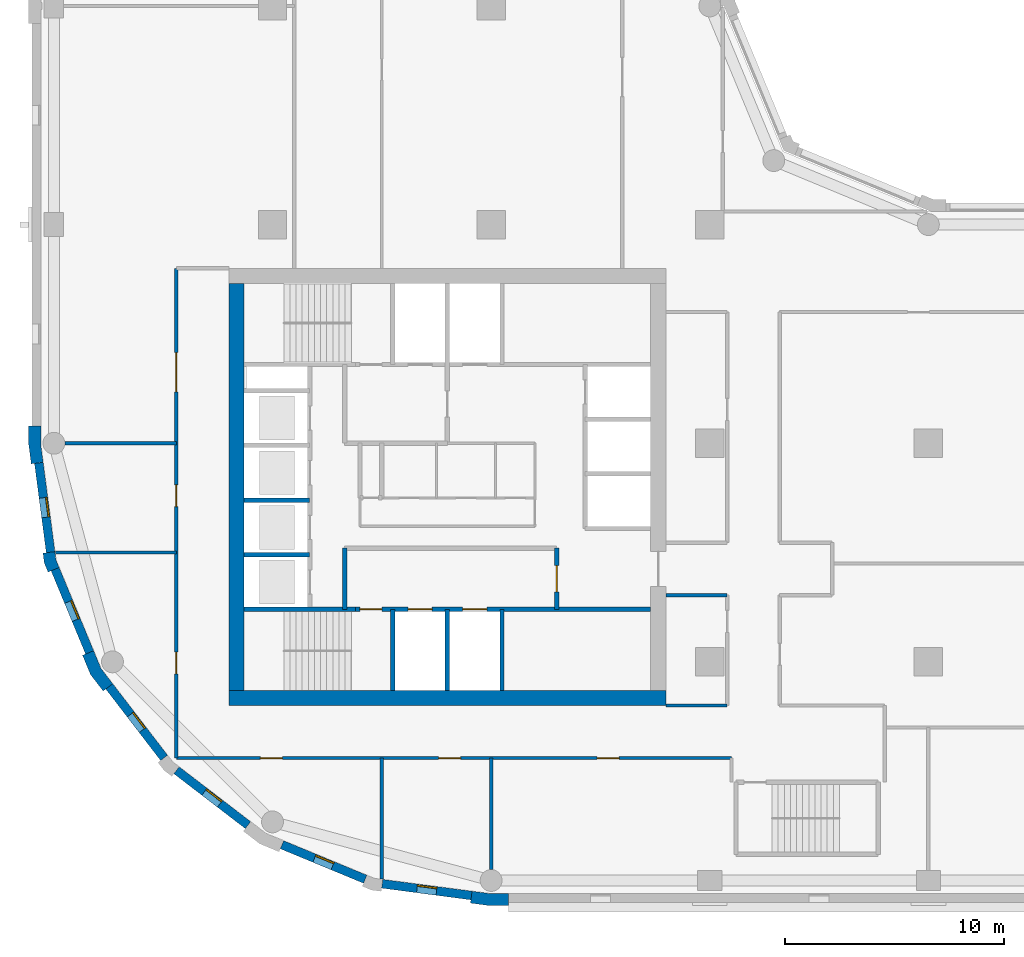
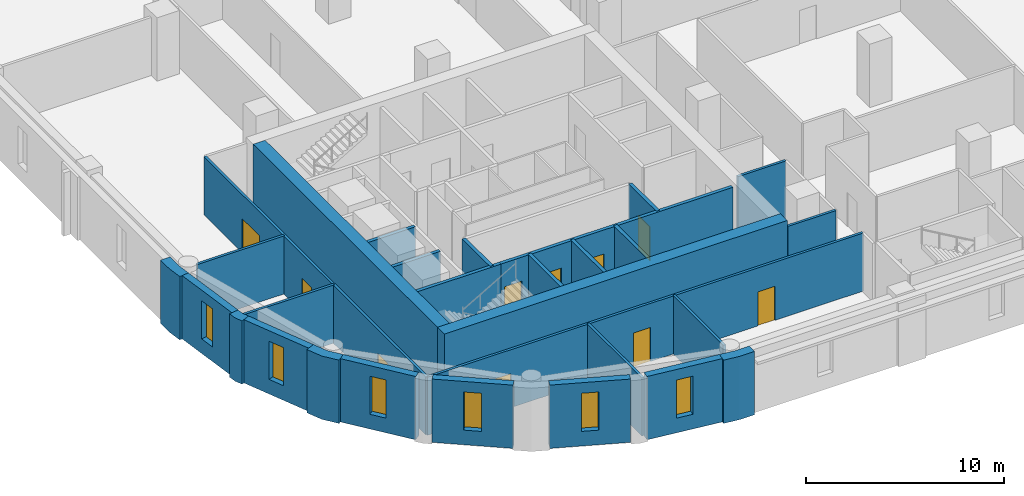
# One storey, part 2 of 9: 29 walls, 10 doors, 6 windows, 16 openings.
"""IFC4 building model written with IfcOpenShell, lengths in metres."""

from ifc_helpers import new_model, si_unit, direction, frame, frame_2d, origin, place, context, subcontext, project, spatial, polyline, rectangle, outline, extrude, material, layer, layer_set, type_object, element, fill, save


model = new_model("IFC4")

# Units and contexts
model_context = context("Model", 3, precision=1e-05, world=origin(), true_north=direction((0.0, 1.0)))
body_context = subcontext(model_context, "Body", "Model", "MODEL_VIEW")
ifc_project = project(units=[si_unit("LENGTHUNIT", "METRE"), si_unit("AREAUNIT", "SQUARE_METRE"), si_unit("VOLUMEUNIT", "CUBIC_METRE"), si_unit("PLANEANGLEUNIT", "RADIAN"), si_unit("MASSUNIT", "GRAM", prefix="KILO")], contexts=[model_context])

# Site, building, storey
site_placement = place(None, origin())
site = spatial("IfcSite", under=ifc_project, at=site_placement, CompositionType="ELEMENT")
building_placement = place(site_placement, origin())
building = spatial("IfcBuilding", under=site, at=building_placement, Name="Qaws Garden Tower", CompositionType="ELEMENT")
storey_placement = place(building_placement, frame((0.0, 0.0, 139.5)))
storey = spatial("IfcBuildingStorey", under=building, at=storey_placement, Name="L33", CompositionType="ELEMENT", Elevation=139.5)

# Wall, opening, window
ifc_material_1 = material(Name="Clay facing brick masonry", Category="masonry")
ifc_layer_1 = layer(ifc_material_1, 0.39990234375)
ifc_layer_set_1 = layer_set([ifc_layer_1], Name="Clay facing brick masonry")
wall_type_1 = type_object("IfcWallType", Name="Brick infill wall 400", PredefinedType="SOLIDWALL", material=ifc_layer_set_1)
wall_1_placement = place(storey_placement, frame((-0.688720703125, 19.102294921875, 0.0), z_axis=(0.0, 0.0, 1.0), x_axis=(0.130514280502, -0.991446429508, 0.0)))
wall_1 = element("IfcWall", 1, at=wall_1_placement, inside=storey, type_object=wall_type_1, Name="E-L33-infill-25", PredefinedType="SOLIDWALL", context=body_context, shape_type="SweptSolid", body=[
    extrude(rectangle(XDim=4.120849609375, YDim=0.39990234375, at=frame_2d((2.060546875, 0.0))), origin(), (0.0, 0.0, 1.0), 3.89990234375),
])
opening_1_placement = place(wall_1_placement, frame((1.610595703125, 0.0, 0.89990234375)))
opening_1 = element("IfcOpeningElement", 2, at=opening_1_placement, cuts=wall_1, Name="Opening W09", PredefinedType="OPENING", context=body_context, shape_type="SweptSolid", body=[
    extrude(rectangle(XDim=0.89990234375, YDim=2.35009765625, at=frame_2d((0.449951171875, 1.175048828125))), frame((0.0, 0.2099609375, 0.0), z_axis=(0.0, -1.0, 0.0), x_axis=(1.0, 0.0, 0.0)), (0.0, 0.0, 1.0), 0.419921875),
])
ifc_material_2 = material(Name="Aluminium framed window, clear glazing", Category="aluminium")
window_type = type_object("IfcWindowType", Name="Slit window 900 x 2350", PartitioningType="SINGLE_PANEL", PredefinedType="WINDOW", material=ifc_material_2)
window_1_placement = place(opening_1_placement, origin())
window_1 = element("IfcWindow", 3, at=window_1_placement, inside=storey, type_object=window_type, Name="E-L33-window-25-0", OverallHeight=2.35009765625, OverallWidth=0.89990234375, PartitioningType="SINGLE_PANEL", PredefinedType="WINDOW", context=body_context, shape_type="SweptSolid", body=[
    extrude(rectangle(XDim=0.89990234375, YDim=2.35009765625, at=frame_2d((0.449951171875, 1.175048828125))), frame((0.0, 0.159912109375, 0.0), z_axis=(0.0, -1.0, 0.0), x_axis=(1.0, 0.0, 0.0)), (0.0, 0.0, 1.0), 0.06005859375),
])
fill(opening_1, window_1)

wall_2_placement = place(storey_placement, frame((0.05712890625, 14.240234375, 0.0), z_axis=(0.0, 0.0, 1.0), x_axis=(0.382721546029, -0.923863744394, 0.0)))
wall_2 = element("IfcWall", 4, at=wall_2_placement, inside=storey, type_object=wall_type_1, Name="E-L33-infill-26", PredefinedType="SOLIDWALL", context=body_context, shape_type="SweptSolid", body=[
    extrude(rectangle(XDim=4.120849609375, YDim=0.39990234375, at=frame_2d((2.060546875, 0.0))), origin(), (0.0, 0.0, 1.0), 3.89990234375),
])
opening_2_placement = place(wall_2_placement, frame((1.610595703125, 0.0, 0.89990234375)))
opening_2 = element("IfcOpeningElement", 5, at=opening_2_placement, cuts=wall_2, Name="Opening W09", PredefinedType="OPENING", context=body_context, shape_type="SweptSolid", body=[
    extrude(rectangle(XDim=0.89990234375, YDim=2.35009765625, at=frame_2d((0.449951171875, 1.175048828125))), frame((0.0, 0.2099609375, 0.0), z_axis=(0.0, -1.0, 0.0), x_axis=(1.0, 0.0, 0.0)), (0.0, 0.0, 1.0), 0.419921875),
])
window_2_placement = place(opening_2_placement, origin())
window_2 = element("IfcWindow", 6, at=window_2_placement, inside=storey, type_object=window_type, Name="E-L33-window-26-0", OverallHeight=2.35009765625, OverallWidth=0.89990234375, PartitioningType="SINGLE_PANEL", PredefinedType="WINDOW", context=body_context, shape_type="SweptSolid", body=[
    extrude(rectangle(XDim=0.89990234375, YDim=2.35009765625, at=frame_2d((0.449951171875, 1.175048828125))), frame((0.0, 0.159912109375, 0.0), z_axis=(0.0, -1.0, 0.0), x_axis=(1.0, 0.0, 0.0)), (0.0, 0.0, 1.0), 0.06005859375),
])
fill(opening_2, window_2)

wall_3_placement = place(storey_placement, frame((2.53173828125, 8.87841796875, 0.0), z_axis=(0.0, 0.0, 1.0), x_axis=(0.608759824817, -0.793354571229, 0.0)))
wall_3 = element("IfcWall", 7, at=wall_3_placement, inside=storey, type_object=wall_type_1, Name="E-L33-infill-27", PredefinedType="SOLIDWALL", context=body_context, shape_type="SweptSolid", body=[
    extrude(rectangle(XDim=4.12109375, YDim=0.39990234375, at=frame_2d((2.060546875, 0.0))), origin(), (0.0, 0.0, 1.0), 3.89990234375),
])
opening_3_placement = place(wall_3_placement, frame((1.610595703125, 0.0, 0.89990234375)))
opening_3 = element("IfcOpeningElement", 8, at=opening_3_placement, cuts=wall_3, Name="Opening W09", PredefinedType="OPENING", context=body_context, shape_type="SweptSolid", body=[
    extrude(rectangle(XDim=0.89990234375, YDim=2.35009765625, at=frame_2d((0.449951171875, 1.175048828125))), frame((0.0, 0.2099609375, 0.0), z_axis=(0.0, -1.0, 0.0), x_axis=(1.0, 0.0, 0.0)), (0.0, 0.0, 1.0), 0.419921875),
])
window_3_placement = place(opening_3_placement, origin())
window_3 = element("IfcWindow", 9, at=window_3_placement, inside=storey, type_object=window_type, Name="E-L33-window-27-0", OverallHeight=2.35009765625, OverallWidth=0.89990234375, PartitioningType="SINGLE_PANEL", PredefinedType="WINDOW", context=body_context, shape_type="SweptSolid", body=[
    extrude(rectangle(XDim=0.89990234375, YDim=2.35009765625, at=frame_2d((0.449951171875, 1.175048828125))), frame((0.0, 0.159912109375, 0.0), z_axis=(0.0, -1.0, 0.0), x_axis=(1.0, 0.0, 0.0)), (0.0, 0.0, 1.0), 0.06005859375),
])
fill(opening_3, window_3)

wall_4_placement = place(storey_placement, frame((5.60888671875, 5.04052734375, 0.0), z_axis=(0.0, 0.0, 1.0), x_axis=(0.793354571229, -0.608759824817, 0.0)))
wall_4 = element("IfcWall", 10, at=wall_4_placement, inside=storey, type_object=wall_type_1, Name="E-L33-infill-28", PredefinedType="SOLIDWALL", context=body_context, shape_type="SweptSolid", body=[
    extrude(rectangle(XDim=4.12109375, YDim=0.39990234375, at=frame_2d((2.060546875, 0.0))), origin(), (0.0, 0.0, 1.0), 3.89990234375),
])
opening_4_placement = place(wall_4_placement, frame((1.610595703125, 0.0, 0.89990234375)))
opening_4 = element("IfcOpeningElement", 11, at=opening_4_placement, cuts=wall_4, Name="Opening W09", PredefinedType="OPENING", context=body_context, shape_type="SweptSolid", body=[
    extrude(rectangle(XDim=0.89990234375, YDim=2.35009765625, at=frame_2d((0.449951171875, 1.175048828125))), frame((0.0, 0.2099609375, 0.0), z_axis=(0.0, -1.0, 0.0), x_axis=(1.0, 0.0, 0.0)), (0.0, 0.0, 1.0), 0.419921875),
])
window_4_placement = place(opening_4_placement, origin())
window_4 = element("IfcWindow", 12, at=window_4_placement, inside=storey, type_object=window_type, Name="E-L33-window-28-0", OverallHeight=2.35009765625, OverallWidth=0.89990234375, PartitioningType="SINGLE_PANEL", PredefinedType="WINDOW", context=body_context, shape_type="SweptSolid", body=[
    extrude(rectangle(XDim=0.89990234375, YDim=2.35009765625, at=frame_2d((0.449951171875, 1.175048828125))), frame((0.0, 0.159912109375, 0.0), z_axis=(0.0, -1.0, 0.0), x_axis=(1.0, 0.0, 0.0)), (0.0, 0.0, 1.0), 0.06005859375),
])
fill(opening_4, window_4)

wall_5_placement = place(storey_placement, frame((10.43310546875, 1.63427734375, 0.0), z_axis=(0.0, 0.0, 1.0), x_axis=(0.923863744394, -0.382721546029, 0.0)))
wall_5 = element("IfcWall", 13, at=wall_5_placement, inside=storey, type_object=wall_type_1, Name="E-L33-infill-29", PredefinedType="SOLIDWALL", context=body_context, shape_type="SweptSolid", body=[
    extrude(rectangle(XDim=4.120849609375, YDim=0.39990234375, at=frame_2d((2.060546875, 0.0))), origin(), (0.0, 0.0, 1.0), 3.89990234375),
])
opening_5_placement = place(wall_5_placement, frame((1.610595703125, 0.0, 0.89990234375)))
opening_5 = element("IfcOpeningElement", 14, at=opening_5_placement, cuts=wall_5, Name="Opening W09", PredefinedType="OPENING", context=body_context, shape_type="SweptSolid", body=[
    extrude(rectangle(XDim=0.89990234375, YDim=2.35009765625, at=frame_2d((0.449951171875, 1.175048828125))), frame((0.0, 0.2099609375, 0.0), z_axis=(0.0, -1.0, 0.0), x_axis=(1.0, 0.0, 0.0)), (0.0, 0.0, 1.0), 0.419921875),
])
window_5_placement = place(opening_5_placement, origin())
window_5 = element("IfcWindow", 15, at=window_5_placement, inside=storey, type_object=window_type, Name="E-L33-window-29-0", OverallHeight=2.35009765625, OverallWidth=0.89990234375, PartitioningType="SINGLE_PANEL", PredefinedType="WINDOW", context=body_context, shape_type="SweptSolid", body=[
    extrude(rectangle(XDim=0.89990234375, YDim=2.35009765625, at=frame_2d((0.449951171875, 1.175048828125))), frame((0.0, 0.159912109375, 0.0), z_axis=(0.0, -1.0, 0.0), x_axis=(1.0, 0.0, 0.0)), (0.0, 0.0, 1.0), 0.06005859375),
])
fill(opening_5, window_5)

wall_6_placement = place(storey_placement, frame((15.0166015625, -0.15087890625, 0.0), z_axis=(0.0, 0.0, 1.0), x_axis=(0.991446429508, -0.130514280502, 0.0)))
wall_6 = element("IfcWall", 16, at=wall_6_placement, inside=storey, type_object=wall_type_1, Name="E-L33-infill-30", PredefinedType="SOLIDWALL", context=body_context, shape_type="SweptSolid", body=[
    extrude(rectangle(XDim=4.120849609375, YDim=0.39990234375, at=frame_2d((2.060546875, 0.0))), origin(), (0.0, 0.0, 1.0), 3.89990234375),
])
opening_6_placement = place(wall_6_placement, frame((1.610595703125, 0.0, 0.89990234375)))
opening_6 = element("IfcOpeningElement", 17, at=opening_6_placement, cuts=wall_6, Name="Opening W09", PredefinedType="OPENING", context=body_context, shape_type="SweptSolid", body=[
    extrude(rectangle(XDim=0.89990234375, YDim=2.35009765625, at=frame_2d((0.449951171875, 1.175048828125))), frame((0.0, 0.2099609375, 0.0), z_axis=(0.0, -1.0, 0.0), x_axis=(1.0, 0.0, 0.0)), (0.0, 0.0, 1.0), 0.419921875),
])
window_6_placement = place(opening_6_placement, origin())
window_6 = element("IfcWindow", 18, at=window_6_placement, inside=storey, type_object=window_type, Name="E-L33-window-30-0", OverallHeight=2.35009765625, OverallWidth=0.89990234375, PartitioningType="SINGLE_PANEL", PredefinedType="WINDOW", context=body_context, shape_type="SweptSolid", body=[
    extrude(rectangle(XDim=0.89990234375, YDim=2.35009765625, at=frame_2d((0.449951171875, 1.175048828125))), frame((0.0, 0.159912109375, 0.0), z_axis=(0.0, -1.0, 0.0), x_axis=(1.0, 0.0, 0.0)), (0.0, 0.0, 1.0), 0.06005859375),
])
fill(opening_6, window_6)

# Walls
ifc_material_3 = material(Name="Clay facing brick masonry", Category="masonry")
ifc_layer_2 = layer(ifc_material_3, 0.550048828125)
ifc_layer_set_2 = layer_set([ifc_layer_2], Name="Clay facing brick masonry")
wall_type_2 = type_object("IfcWallType", Name="Brick kink pier 550 x 600", PredefinedType="SOLIDWALL", material=ifc_layer_set_2)
placement = place(storey_placement, origin())
element("IfcWall", 19, at=placement, inside=storey, type_object=wall_type_2, Name="E-L33-pier-26", PredefinedType="SOLIDWALL", context=body_context, shape_type="SweptSolid", body=[
    extrude(outline(polyline([(-0.34912109375, 14.990478515625), (-0.497802734375, 14.970947265625), (-0.43896484375, 14.5234375), (-0.26611328125, 14.1064453125), (-0.127685546875, 14.163818359375), (0.241943359375, 14.31689453125), (0.096923828125, 14.6669921875), (0.04736328125, 15.042724609375), (-0.34912109375, 14.990478515625)])), origin(), (0.0, 0.0, 1.0), 3.89990234375),
])
ifc_material_4 = material(Name="Clay facing brick masonry", Category="masonry")
ifc_layer_3 = layer(ifc_material_4, 0.550048828125)
ifc_layer_set_3 = layer_set([ifc_layer_3], Name="Clay facing brick masonry")
wall_type_3 = type_object("IfcWallType", Name="Brick pier 550 x 1600", PredefinedType="SOLIDWALL", material=ifc_layer_set_3)
element("IfcWall", 20, at=placement, inside=storey, type_object=wall_type_3, Name="E-L33-pier-00", PredefinedType="SOLIDWALL", context=body_context, shape_type="SweptSolid", body=[
    extrude(outline(polyline([(19.076416015625, -0.886962890625), (19.056640625, -1.03564453125), (19.924560546875, -1.14990234375), (20.800048828125, -1.14990234375), (20.800048828125, -1.0), (20.800048828125, -0.60009765625), (19.960693359375, -0.60009765625), (19.12841796875, -0.490478515625), (19.076416015625, -0.886962890625)])), origin(), (0.0, 0.0, 1.0), 3.89990234375),
])
element("IfcWall", 21, at=placement, inside=storey, type_object=wall_type_3, Name="E-L33-pier-25", PredefinedType="SOLIDWALL", context=body_context, shape_type="SweptSolid", body=[
    extrude(outline(polyline([(-1.0, 20.800048828125), (-1.14990234375, 20.800048828125), (-1.14990234375, 19.924560546875), (-1.03564453125, 19.056640625), (-0.886962890625, 19.076416015625), (-0.490478515625, 19.12841796875), (-0.60009765625, 19.960693359375), (-0.60009765625, 20.800048828125), (-1.0, 20.800048828125)])), origin(), (0.0, 0.0, 1.0), 3.89990234375),
])
element("IfcWall", 22, at=placement, inside=storey, type_object=wall_type_3, Name="E-L33-pier-27", PredefinedType="SOLIDWALL", context=body_context, shape_type="SweptSolid", body=[
    extrude(outline(polyline([(1.449462890625, 10.3564453125), (1.310791015625, 10.299072265625), (1.675048828125, 9.419921875), (2.254150390625, 8.665283203125), (2.373046875, 8.756591796875), (2.6904296875, 9.0), (2.1552734375, 9.697509765625), (1.819091796875, 10.509521484375), (1.449462890625, 10.3564453125)])), origin(), (0.0, 0.0, 1.0), 3.89990234375),
])
ifc_material_5 = material(Name="Concrete C70", Category="concrete")
ifc_layer_4 = layer(ifc_material_5, 0.199951171875)
ifc_layer_set_4 = layer_set([ifc_layer_4], Name="Concrete C70")
wall_type_4 = type_object("IfcWallType", Name="Core shaft wall 200 C70", PredefinedType="SHEAR", material=ifc_layer_set_4)
wall_11_placement = place(storey_placement, frame((8.699951171875, 12.39990234375, 0.0), z_axis=(0.0, 0.0, 1.0), x_axis=(1.0, 0.0, 0.0)))
element("IfcWall", 23, at=wall_11_placement, inside=storey, type_object=wall_type_4, Name="Shaft wall", PredefinedType="SHEAR", context=body_context, shape_type="SweptSolid", body=[
    extrude(rectangle(XDim=5.10009765625, YDim=0.199951171875, at=frame_2d((2.550048828125, 0.0))), origin(), (0.0, 0.0, 1.0), 3.580078125),
])

# Wall, openings, doors
wall_12_placement = place(storey_placement, frame((13.800048828125, 12.39990234375, 0.0), z_axis=(0.0, 0.0, 1.0), x_axis=(1.0, 0.0, 0.0)))
wall_12 = element("IfcWall", 24, at=wall_12_placement, inside=storey, type_object=wall_type_4, Name="Shaft wall", PredefinedType="SHEAR", context=body_context, shape_type="SweptSolid", body=[
    extrude(rectangle(XDim=13.5, YDim=0.199951171875, at=frame_2d((6.75, 0.0))), origin(), (0.0, 0.0, 1.0), 3.580078125),
])
opening_7_placement = place(wall_12_placement, frame((2.39990234375, 0.0, 0.0)))
opening_7 = element("IfcOpeningElement", 25, at=opening_7_placement, cuts=wall_12, Name="Opening LD06", PredefinedType="OPENING", context=body_context, shape_type="SweptSolid", body=[
    extrude(rectangle(XDim=1.10009765625, YDim=2.10009765625, at=frame_2d((0.550048828125, 1.050048828125))), frame((0.0, 0.10986328125, 0.0), z_axis=(0.0, -1.0, 0.0), x_axis=(1.0, 0.0, 0.0)), (0.0, 0.0, 1.0), 0.219970703125),
])
opening_8_placement = place(wall_12_placement, frame((4.89990234375, 0.0, 0.0)))
opening_8 = element("IfcOpeningElement", 26, at=opening_8_placement, cuts=wall_12, Name="Opening LD07", PredefinedType="OPENING", context=body_context, shape_type="SweptSolid", body=[
    extrude(rectangle(XDim=1.10009765625, YDim=2.10009765625, at=frame_2d((0.550048828125, 1.050048828125))), frame((0.0, 0.10986328125, 0.0), z_axis=(0.0, -1.0, 0.0), x_axis=(1.0, 0.0, 0.0)), (0.0, 0.0, 1.0), 0.219970703125),
])
opening_9_placement = place(wall_12_placement, frame((0.199951171875, 0.0, 0.0)))
opening_9 = element("IfcOpeningElement", 27, at=opening_9_placement, cuts=wall_12, Name="Opening SD10", PredefinedType="OPENING", context=body_context, shape_type="SweptSolid", body=[
    extrude(rectangle(XDim=1.0, YDim=2.10009765625, at=frame_2d((0.5, 1.050048828125))), frame((0.0, 0.10986328125, 0.0), z_axis=(0.0, -1.0, 0.0), x_axis=(1.0, 0.0, 0.0)), (0.0, 0.0, 1.0), 0.219970703125),
])
ifc_material_6 = material(Name="Steel S235", Category="steel")
door_type_1 = type_object("IfcDoorType", Name="Landing door 1100x2100", OperationType="DOUBLE_DOOR_SLIDING", PredefinedType="DOOR", material=ifc_material_6)
door_1_placement = place(opening_7_placement, origin())
door_1 = element("IfcDoor", 28, at=door_1_placement, inside=storey, type_object=door_type_1, Name="Lift FF1 landing door", OperationType="DOUBLE_DOOR_SLIDING", OverallHeight=2.10009765625, OverallWidth=1.10009765625, PredefinedType="DOOR", context=body_context, shape_type="SweptSolid", body=[
    extrude(rectangle(XDim=1.10009765625, YDim=2.10009765625, at=frame_2d((0.550048828125, 1.050048828125))), frame((0.0, 0.02490234375, 0.0), z_axis=(0.0, -1.0, 0.0), x_axis=(1.0, 0.0, 0.0)), (0.0, 0.0, 1.0), 0.050048828125),
])
fill(opening_7, door_1)
door_2_placement = place(opening_8_placement, origin())
door_2 = element("IfcDoor", 29, at=door_2_placement, inside=storey, type_object=door_type_1, Name="Lift FF2 landing door", OperationType="DOUBLE_DOOR_SLIDING", OverallHeight=2.10009765625, OverallWidth=1.10009765625, PredefinedType="DOOR", context=body_context, shape_type="SweptSolid", body=[
    extrude(rectangle(XDim=1.10009765625, YDim=2.10009765625, at=frame_2d((0.550048828125, 1.050048828125))), frame((0.0, 0.02490234375, 0.0), z_axis=(0.0, -1.0, 0.0), x_axis=(1.0, 0.0, 0.0)), (0.0, 0.0, 1.0), 0.050048828125),
])
fill(opening_8, door_2)
ifc_material_7 = material(Name="Steel S235", Category="steel")
door_type_2 = type_object("IfcDoorType", Name="Stair door 1000x2100", OperationType="SINGLE_SWING_RIGHT", PredefinedType="DOOR", material=ifc_material_7)
door_3_placement = place(opening_9_placement, frame((1.0, 0.0, 0.0), z_axis=(0.0, 0.0, 1.0), x_axis=(-1.0, 0.0, 0.0)))
door_3 = element("IfcDoor", 30, at=door_3_placement, inside=storey, type_object=door_type_2, Name="Stair 1 door", OperationType="SINGLE_SWING_LEFT", OverallHeight=2.10009765625, OverallWidth=1.0, PredefinedType="DOOR", context=body_context, shape_type="SweptSolid", body=[
    extrude(rectangle(XDim=1.0, YDim=2.10009765625, at=frame_2d((0.5, 1.050048828125))), frame((0.0, 0.02490234375, 0.0), z_axis=(0.0, -1.0, 0.0), x_axis=(1.0, 0.0, 0.0)), (0.0, 0.0, 1.0), 0.050048828125),
])
fill(opening_9, door_3)

# Walls
for number, where, z_axis, x_axis, name in (
    (31, (8.699951171875, 14.89990234375, 0.0), (0.0, 0.0, 1.0), (1.0, 0.0, 0.0), "Shaft wall"),
    (32, (8.699951171875, 17.39990234375, 0.0), (0.0, 0.0, 1.0), (1.0, 0.0, 0.0), "Shaft wall"),
):
    element("IfcWall", number, at=place(storey_placement, frame(where, z_axis=z_axis, x_axis=x_axis)), inside=storey, type_object=wall_type_4, Name=name, PredefinedType="SHEAR", context=body_context, shape_type="SweptSolid", body=[
        extrude(rectangle(XDim=3.0, YDim=0.199951171875, at=frame_2d((1.5, 0.0))), origin(), (0.0, 0.0, 1.0), 3.580078125),
    ])
wall_13_placement = place(storey_placement, frame((13.300048828125, 12.39990234375, 0.0), z_axis=(0.0, 0.0, 1.0), x_axis=(0.0, 1.0, 0.0)))
element("IfcWall", 33, at=wall_13_placement, inside=storey, type_object=wall_type_4, Name="Shaft wall", PredefinedType="SHEAR", context=body_context, shape_type="SweptSolid", body=[
    extrude(rectangle(XDim=2.800048828125, YDim=0.199951171875, at=frame_2d((1.39990234375, 0.0))), origin(), (0.0, 0.0, 1.0), 3.580078125),
])
for number, where, z_axis, x_axis, name in (
    (34, (15.5, 8.699951171875, 0.0), (0.0, 0.0, 1.0), (0.0, 1.0, 0.0), "Shaft wall"),
    (35, (18.0, 8.699951171875, 0.0), (0.0, 0.0, 1.0), (0.0, 1.0, 0.0), "Shaft wall"),
    (36, (20.5, 8.699951171875, 0.0), (0.0, 0.0, 1.0), (0.0, 1.0, 0.0), "Shaft wall"),
):
    element("IfcWall", number, at=place(storey_placement, frame(where, z_axis=z_axis, x_axis=x_axis)), inside=storey, type_object=wall_type_4, Name=name, PredefinedType="SHEAR", context=body_context, shape_type="SweptSolid", body=[
        extrude(rectangle(XDim=3.699951171875, YDim=0.199951171875, at=frame_2d((1.85009765625, 0.0))), origin(), (0.0, 0.0, 1.0), 3.580078125),
    ])

# Wall, opening, door
wall_14_placement = place(storey_placement, frame((23.0, 12.39990234375, 0.0), z_axis=(0.0, 0.0, 1.0), x_axis=(0.0, 1.0, 0.0)))
wall_14 = element("IfcWall", 37, at=wall_14_placement, inside=storey, type_object=wall_type_4, Name="Shaft wall", PredefinedType="SHEAR", context=body_context, shape_type="SweptSolid", body=[
    extrude(rectangle(XDim=2.800048828125, YDim=0.199951171875, at=frame_2d((1.39990234375, 0.0))), origin(), (0.0, 0.0, 1.0), 3.580078125),
])
opening_10_placement = place(wall_14_placement, frame((0.800048828125, 0.0, 0.0)))
opening_10 = element("IfcOpeningElement", 38, at=opening_10_placement, cuts=wall_14, Name="Opening FD15", PredefinedType="OPENING", context=body_context, shape_type="SweptSolid", body=[
    extrude(rectangle(XDim=1.199951171875, YDim=2.10009765625, at=frame_2d((0.60009765625, 1.050048828125))), frame((0.0, 0.10986328125, 0.0), z_axis=(0.0, -1.0, 0.0), x_axis=(1.0, 0.0, 0.0)), (0.0, 0.0, 1.0), 0.219970703125),
])
ifc_material_8 = material(Name="Steel S235", Category="steel")
door_type_3 = type_object("IfcDoorType", Name="Lobby door 1200x2100", OperationType="DOUBLE_DOOR_SINGLE_SWING", PredefinedType="DOOR", material=ifc_material_8)
door_4_placement = place(opening_10_placement, origin())
door_4 = element("IfcDoor", 39, at=door_4_placement, inside=storey, type_object=door_type_3, Name="Fire-fighting lobby door", OperationType="DOUBLE_DOOR_SINGLE_SWING", OverallHeight=2.10009765625, OverallWidth=1.199951171875, PredefinedType="DOOR", context=body_context, shape_type="SweptSolid", body=[
    extrude(rectangle(XDim=1.199951171875, YDim=2.10009765625, at=frame_2d((0.60009765625, 1.050048828125))), frame((0.0, 0.02490234375, 0.0), z_axis=(0.0, -1.0, 0.0), x_axis=(1.0, 0.0, 0.0)), (0.0, 0.0, 1.0), 0.050048828125),
])
fill(opening_10, door_4)

# Walls
ifc_material_9 = material(Name="Concrete C70", Category="concrete")
ifc_layer_5 = layer(ifc_material_9, 0.699951171875)
ifc_layer_set_5 = layer_set([ifc_layer_5], Name="Concrete C70")
wall_type_5 = type_object("IfcWallType", Name="Core wall 700 C70", PredefinedType="SHEAR", material=ifc_layer_set_5)
wall_15_placement = place(storey_placement, frame((8.0, 8.35009765625, 0.0), z_axis=(0.0, 0.0, 1.0), x_axis=(1.0, 0.0, 0.0)))
element("IfcWall", 40, at=wall_15_placement, inside=storey, type_object=wall_type_5, Name="Core wall L33 south", PredefinedType="SHEAR", context=body_context, shape_type="SweptSolid", body=[
    extrude(rectangle(XDim=20.0, YDim=0.699951171875, at=frame_2d((10.0, 0.0))), origin(), (0.0, 0.0, 1.0), 3.89990234375),
])
wall_16_placement = place(storey_placement, frame((8.35009765625, 27.300048828125, 0.0), z_axis=(0.0, 0.0, 1.0), x_axis=(0.0, -1.0, 0.0)))
element("IfcWall", 41, at=wall_16_placement, inside=storey, type_object=wall_type_5, Name="Core wall L33 west", PredefinedType="SHEAR", context=body_context, shape_type="SweptSolid", body=[
    extrude(rectangle(XDim=18.60009765625, YDim=0.699951171875, at=frame_2d((9.300048828125, 0.0))), origin(), (0.0, 0.0, 1.0), 3.89990234375),
])

# Wall, openings, doors
ifc_material_10 = material(Name="Gypsum board partition")
ifc_layer_6 = layer(ifc_material_10, 0.14990234375)
ifc_layer_set_6 = layer_set([ifc_layer_6], Name="Gypsum board partition")
wall_type_6 = type_object("IfcWallType", Name="PARTITION 150 EI 60", PredefinedType="PARTITIONING", material=ifc_layer_set_6)
wall_17_placement = place(storey_placement, frame((5.60009765625, 5.60009765625, 0.0), z_axis=(0.0, 0.0, 1.0), x_axis=(0.0, 1.0, 0.0)))
wall_17 = element("IfcWall", 42, at=wall_17_placement, inside=storey, type_object=wall_type_6, Name="O-L33-wall-004", PredefinedType="PARTITIONING", context=body_context, shape_type="SweptSolid", body=[
    extrude(rectangle(XDim=22.39990234375, YDim=0.14990234375, at=frame_2d((11.199951171875, 0.0))), origin(), (0.0, 0.0, 1.0), 3.580078125),
])
opening_11_placement = place(wall_17_placement, frame((3.85009765625, 0.0, 0.0)))
opening_11 = element("IfcOpeningElement", 43, at=opening_11_placement, cuts=wall_17, Name="Opening B101", PredefinedType="OPENING", context=body_context, shape_type="SweptSolid", body=[
    extrude(rectangle(XDim=1.0, YDim=2.10009765625, at=frame_2d((0.5, 1.050048828125))), frame((0.0, 0.0849609375, 0.0), z_axis=(0.0, -1.0, 0.0), x_axis=(1.0, 0.0, 0.0)), (0.0, 0.0, 1.0), 0.169921875),
])
opening_12_placement = place(wall_17_placement, frame((11.5, 0.0, 0.0)))
opening_12 = element("IfcOpeningElement", 44, at=opening_12_placement, cuts=wall_17, Name="Opening B102", PredefinedType="OPENING", context=body_context, shape_type="SweptSolid", body=[
    extrude(rectangle(XDim=1.0, YDim=2.10009765625, at=frame_2d((0.5, 1.050048828125))), frame((0.0, 0.0849609375, 0.0), z_axis=(0.0, -1.0, 0.0), x_axis=(1.0, 0.0, 0.0)), (0.0, 0.0, 1.0), 0.169921875),
])
opening_13_placement = place(wall_17_placement, frame((16.75, 0.0, 0.0)))
opening_13 = element("IfcOpeningElement", 45, at=opening_13_placement, cuts=wall_17, Name="Opening B106", PredefinedType="OPENING", context=body_context, shape_type="SweptSolid", body=[
    extrude(rectangle(XDim=1.800048828125, YDim=2.10009765625, at=frame_2d((0.89990234375, 1.050048828125))), frame((0.0, 0.0849609375, 0.0), z_axis=(0.0, -1.0, 0.0), x_axis=(1.0, 0.0, 0.0)), (0.0, 0.0, 1.0), 0.169921875),
])
ifc_material_11 = material(Name="Timber door leaf", Category="wood")
door_type_4 = type_object("IfcDoorType", Name="DOUBLE DOOR 1800 X 2100", OperationType="DOUBLE_DOOR_SINGLE_SWING", PredefinedType="DOOR", material=ifc_material_11)
door_5_placement = place(opening_13_placement, origin())
door_5 = element("IfcDoor", 46, at=door_5_placement, inside=storey, type_object=door_type_4, Name="O-L33-door-006", OperationType="DOUBLE_DOOR_SINGLE_SWING", OverallHeight=2.10009765625, OverallWidth=1.800048828125, PredefinedType="DOOR", context=body_context, shape_type="SweptSolid", body=[
    extrude(rectangle(XDim=1.800048828125, YDim=2.10009765625, at=frame_2d((0.89990234375, 1.050048828125))), frame((0.0, 0.02490234375, 0.0), z_axis=(0.0, -1.0, 0.0), x_axis=(1.0, 0.0, 0.0)), (0.0, 0.0, 1.0), 0.050048828125),
])
fill(opening_13, door_5)
ifc_material_12 = material(Name="Timber door leaf", Category="wood")
door_type_5 = type_object("IfcDoorType", Name="TENANCY ENTRANCE DOOR 1000 X 2100", OperationType="SINGLE_SWING_LEFT", PredefinedType="DOOR", material=ifc_material_12)
door_6_placement = place(opening_11_placement, origin())
door_6 = element("IfcDoor", 47, at=door_6_placement, inside=storey, type_object=door_type_5, Name="O-L33-door-001", OperationType="SINGLE_SWING_RIGHT", OverallHeight=2.10009765625, OverallWidth=1.0, PredefinedType="DOOR", context=body_context, shape_type="SweptSolid", body=[
    extrude(rectangle(XDim=1.0, YDim=2.10009765625, at=frame_2d((0.5, 1.050048828125))), frame((0.0, 0.02490234375, 0.0), z_axis=(0.0, -1.0, 0.0), x_axis=(1.0, 0.0, 0.0)), (0.0, 0.0, 1.0), 0.050048828125),
])
fill(opening_11, door_6)
door_7_placement = place(opening_12_placement, origin())
door_7 = element("IfcDoor", 48, at=door_7_placement, inside=storey, type_object=door_type_5, Name="O-L33-door-002", OperationType="SINGLE_SWING_RIGHT", OverallHeight=2.10009765625, OverallWidth=1.0, PredefinedType="DOOR", context=body_context, shape_type="SweptSolid", body=[
    extrude(rectangle(XDim=1.0, YDim=2.10009765625, at=frame_2d((0.5, 1.050048828125))), frame((0.0, 0.02490234375, 0.0), z_axis=(0.0, -1.0, 0.0), x_axis=(1.0, 0.0, 0.0)), (0.0, 0.0, 1.0), 0.050048828125),
])
fill(opening_12, door_7)

# Walls
wall_18_placement = place(storey_placement, frame((15.0, 0.06298828125, 0.0), z_axis=(0.0, 0.0, 1.0), x_axis=(0.0, 1.0, 0.0)))
element("IfcWall", 49, at=wall_18_placement, inside=storey, type_object=wall_type_6, Name="O-L33-wall-008", PredefinedType="PARTITIONING", context=body_context, shape_type="SweptSolid", body=[
    extrude(rectangle(XDim=5.537109375, YDim=0.14990234375, at=frame_2d((2.7685546875, 0.0))), origin(), (0.0, 0.0, 1.0), 3.580078125),
])
wall_19_placement = place(storey_placement, frame((20.0, 0.5, 0.0), z_axis=(0.0, 0.0, 1.0), x_axis=(0.0, 1.0, 0.0)))
element("IfcWall", 50, at=wall_19_placement, inside=storey, type_object=wall_type_6, Name="O-L33-wall-011", PredefinedType="PARTITIONING", context=body_context, shape_type="SweptSolid", body=[
    extrude(rectangle(XDim=5.10009765625, YDim=0.14990234375, at=frame_2d((2.550048828125, 0.0))), origin(), (0.0, 0.0, 1.0), 3.580078125),
])

# Wall, openings, doors
wall_20_placement = place(storey_placement, frame((5.60009765625, 5.60009765625, 0.0), z_axis=(0.0, 0.0, 1.0), x_axis=(1.0, 0.0, 0.0)))
wall_20 = element("IfcWall", 51, at=wall_20_placement, inside=storey, type_object=wall_type_6, Name="O-L33-wall-025", PredefinedType="PARTITIONING", context=body_context, shape_type="SweptSolid", body=[
    extrude(rectangle(XDim=25.39990234375, YDim=0.14990234375, at=frame_2d((12.699951171875, 0.0))), origin(), (0.0, 0.0, 1.0), 3.580078125),
])
opening_14_placement = place(wall_20_placement, frame((3.85009765625, 0.0, 0.0)))
opening_14 = element("IfcOpeningElement", 52, at=opening_14_placement, cuts=wall_20, Name="Opening B111", PredefinedType="OPENING", context=body_context, shape_type="SweptSolid", body=[
    extrude(rectangle(XDim=1.0, YDim=2.10009765625, at=frame_2d((0.5, 1.050048828125))), frame((0.0, 0.0849609375, 0.0), z_axis=(0.0, -1.0, 0.0), x_axis=(1.0, 0.0, 0.0)), (0.0, 0.0, 1.0), 0.169921875),
])
opening_15_placement = place(wall_20_placement, frame((12.0, 0.0, 0.0)))
opening_15 = element("IfcOpeningElement", 53, at=opening_15_placement, cuts=wall_20, Name="Opening B112", PredefinedType="OPENING", context=body_context, shape_type="SweptSolid", body=[
    extrude(rectangle(XDim=1.0, YDim=2.10009765625, at=frame_2d((0.5, 1.050048828125))), frame((0.0, 0.0849609375, 0.0), z_axis=(0.0, -1.0, 0.0), x_axis=(1.0, 0.0, 0.0)), (0.0, 0.0, 1.0), 0.169921875),
])
opening_16_placement = place(wall_20_placement, frame((19.25, 0.0, 0.0)))
opening_16 = element("IfcOpeningElement", 54, at=opening_16_placement, cuts=wall_20, Name="Opening B113", PredefinedType="OPENING", context=body_context, shape_type="SweptSolid", body=[
    extrude(rectangle(XDim=1.0, YDim=2.10009765625, at=frame_2d((0.5, 1.050048828125))), frame((0.0, 0.0849609375, 0.0), z_axis=(0.0, -1.0, 0.0), x_axis=(1.0, 0.0, 0.0)), (0.0, 0.0, 1.0), 0.169921875),
])
door_8_placement = place(opening_14_placement, frame((1.0, 0.0, 0.0), z_axis=(0.0, 0.0, 1.0), x_axis=(-1.0, 0.0, 0.0)))
door_8 = element("IfcDoor", 55, at=door_8_placement, inside=storey, type_object=door_type_5, Name="O-L33-door-011", OperationType="SINGLE_SWING_LEFT", OverallHeight=2.10009765625, OverallWidth=1.0, PredefinedType="DOOR", context=body_context, shape_type="SweptSolid", body=[
    extrude(rectangle(XDim=1.0, YDim=2.10009765625, at=frame_2d((0.5, 1.050048828125))), frame((0.0, 0.02490234375, 0.0), z_axis=(0.0, -1.0, 0.0), x_axis=(1.0, 0.0, 0.0)), (0.0, 0.0, 1.0), 0.050048828125),
])
fill(opening_14, door_8)
door_9_placement = place(opening_15_placement, frame((1.0, 0.0, 0.0), z_axis=(0.0, 0.0, 1.0), x_axis=(-1.0, 0.0, 0.0)))
door_9 = element("IfcDoor", 56, at=door_9_placement, inside=storey, type_object=door_type_5, Name="O-L33-door-012", OperationType="SINGLE_SWING_LEFT", OverallHeight=2.10009765625, OverallWidth=1.0, PredefinedType="DOOR", context=body_context, shape_type="SweptSolid", body=[
    extrude(rectangle(XDim=1.0, YDim=2.10009765625, at=frame_2d((0.5, 1.050048828125))), frame((0.0, 0.02490234375, 0.0), z_axis=(0.0, -1.0, 0.0), x_axis=(1.0, 0.0, 0.0)), (0.0, 0.0, 1.0), 0.050048828125),
])
fill(opening_15, door_9)
door_10_placement = place(opening_16_placement, frame((1.0, 0.0, 0.0), z_axis=(0.0, 0.0, 1.0), x_axis=(-1.0, 0.0, 0.0)))
door_10 = element("IfcDoor", 57, at=door_10_placement, inside=storey, type_object=door_type_5, Name="O-L33-door-013", OperationType="SINGLE_SWING_LEFT", OverallHeight=2.10009765625, OverallWidth=1.0, PredefinedType="DOOR", context=body_context, shape_type="SweptSolid", body=[
    extrude(rectangle(XDim=1.0, YDim=2.10009765625, at=frame_2d((0.5, 1.050048828125))), frame((0.0, 0.02490234375, 0.0), z_axis=(0.0, -1.0, 0.0), x_axis=(1.0, 0.0, 0.0)), (0.0, 0.0, 1.0), 0.050048828125),
])
fill(opening_16, door_10)

# Walls
for number, where, z_axis, x_axis, name in (
    (58, (28.0, 8.0, 0.0), (0.0, 0.0, 1.0), (1.0, 0.0, 0.0), "O-L33-wall-027"),
    (59, (28.0, 13.050048828125, 0.0), (0.0, 0.0, 1.0), (1.0, 0.0, 0.0), "O-L33-wall-029"),
):
    element("IfcWall", number, at=place(storey_placement, frame(where, z_axis=z_axis, x_axis=x_axis)), inside=storey, type_object=wall_type_6, Name=name, PredefinedType="PARTITIONING", context=body_context, shape_type="SweptSolid", body=[
        extrude(rectangle(XDim=2.800048828125, YDim=0.14990234375, at=frame_2d((1.39990234375, 0.0))), origin(), (0.0, 0.0, 1.0), 3.580078125),
    ])
wall_21_placement = place(storey_placement, frame((0.06298828125, 15.0, 0.0), z_axis=(0.0, 0.0, 1.0), x_axis=(1.0, 0.0, 0.0)))
element("IfcWall", 60, at=wall_21_placement, inside=storey, type_object=wall_type_6, Name="O-L33-wall-032", PredefinedType="PARTITIONING", context=body_context, shape_type="SweptSolid", body=[
    extrude(rectangle(XDim=5.537109375, YDim=0.14990234375, at=frame_2d((2.7685546875, 0.0))), origin(), (0.0, 0.0, 1.0), 3.580078125),
])
wall_22_placement = place(storey_placement, frame((0.5, 20.0, 0.0), z_axis=(0.0, 0.0, 1.0), x_axis=(1.0, 0.0, 0.0)))
element("IfcWall", 61, at=wall_22_placement, inside=storey, type_object=wall_type_6, Name="O-L33-wall-035", PredefinedType="PARTITIONING", context=body_context, shape_type="SweptSolid", body=[
    extrude(rectangle(XDim=5.10009765625, YDim=0.14990234375, at=frame_2d((2.550048828125, 0.0))), origin(), (0.0, 0.0, 1.0), 3.580078125),
])

save(model, "model.ifc")
